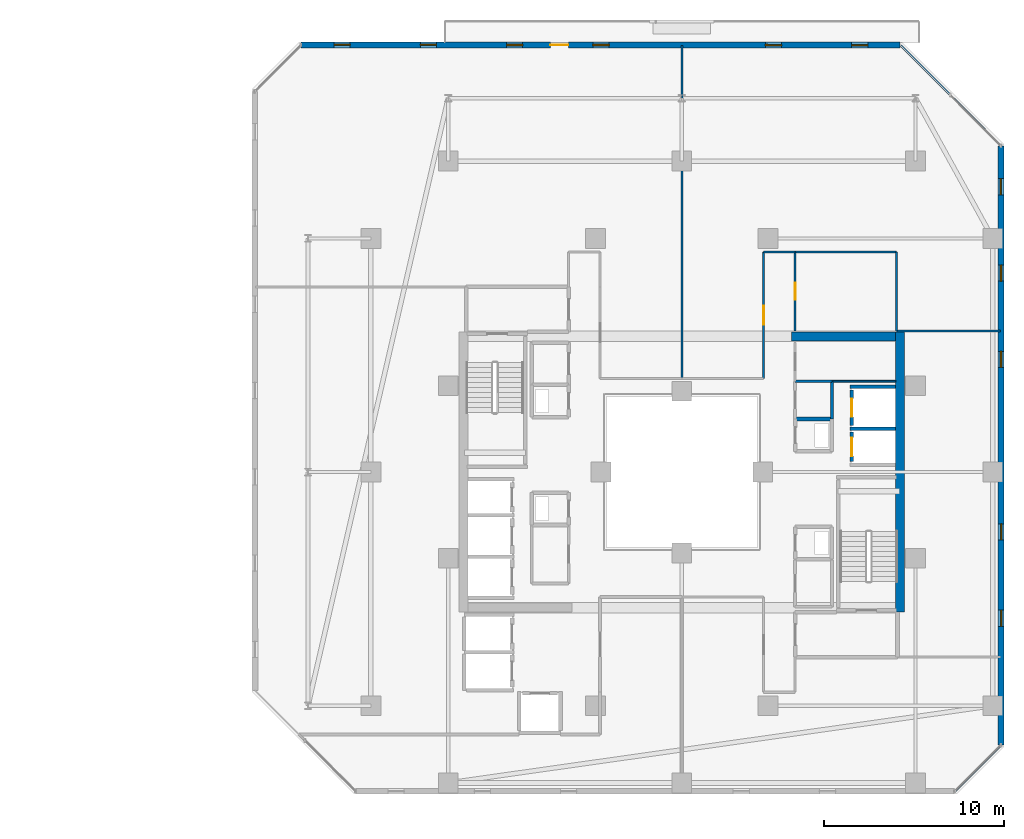
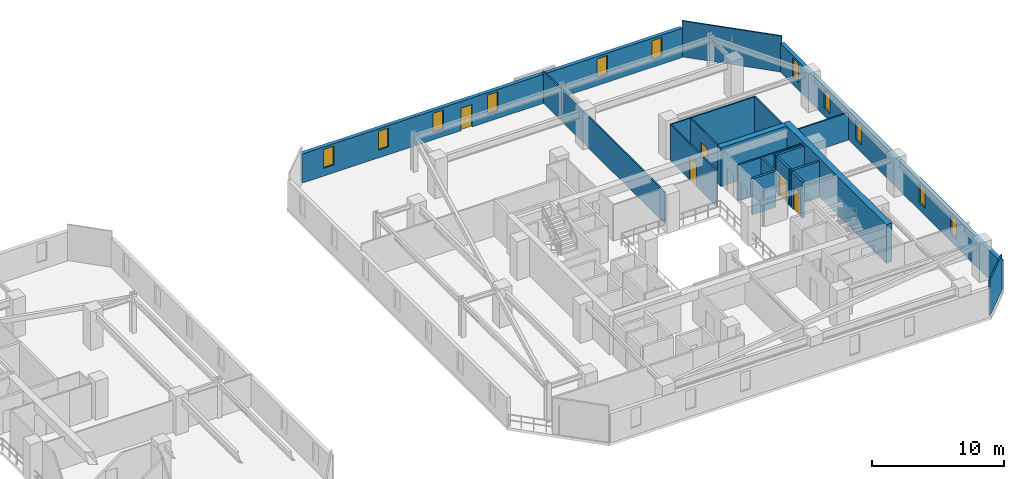
# One storey, part 25 of 32: 21 walls, 11 windows, 5 doors, 16 openings.
"""IFC4 building model written with IfcOpenShell, lengths in metres."""

from ifc_helpers import new_model, si_unit, direction, frame, frame_2d, origin, place, context, subcontext, project, spatial, rectangle, extrude, material, layer, layer_set, type_object, element, fill, save


model = new_model("IFC4")

# Units and contexts
model_context = context("Model", 3, precision=1e-05, world=origin(), true_north=direction((0.0, 1.0)))
body_context = subcontext(model_context, "Body", "Model", "MODEL_VIEW")
ifc_project = project(units=[si_unit("LENGTHUNIT", "METRE"), si_unit("AREAUNIT", "SQUARE_METRE"), si_unit("VOLUMEUNIT", "CUBIC_METRE"), si_unit("PLANEANGLEUNIT", "RADIAN"), si_unit("MASSUNIT", "GRAM", prefix="KILO")], contexts=[model_context])

# Site, building, storey
site_placement = place(None, origin())
site = spatial("IfcSite", under=ifc_project, at=site_placement, CompositionType="ELEMENT")
building_placement = place(site_placement, origin())
building = spatial("IfcBuilding", under=site, at=building_placement, Name="Thornwick Lancets Civic Towers", CompositionType="ELEMENT")
storey_placement = place(building_placement, frame((0.0, 0.0, 182.10009765625)))
storey = spatial("IfcBuildingStorey", under=building, at=storey_placement, Name="L48", CompositionType="ELEMENT", Elevation=182.10009765625)

# Wall, opening, door
ifc_material_1 = material(Name="Concrete blockwork C40/50", Category="masonry")
ifc_layer_1 = layer(ifc_material_1, 0.199951171875, Name="Concrete blockwork C40/50")
ifc_layer_set_1 = layer_set([ifc_layer_1], Name="Concrete blockwork C40/50")
wall_type_1 = type_object("IfcWallType", Name="WALL_COMP_200", PredefinedType="STANDARD", material=ifc_layer_set_1)
wall_1_placement = place(storey_placement, frame((97.949951171875, 29.219970703125, 0.0), z_axis=(0.0, 0.0, 1.0), x_axis=(0.0, -1.0, 0.0)))
wall_1 = element("IfcWall", 1, at=wall_1_placement, inside=storey, type_object=wall_type_1, Name="L48 Hoistway Front Wall FL-B1", PredefinedType="STANDARD", context=body_context, shape_type="SweptSolid", body=[
    extrude(rectangle(XDim=1.639892578125, YDim=0.199951171875, at=frame_2d((0.81982421875, 0.0))), origin(), (0.0, 0.0, 1.0), 3.33984375),
])
opening_1_placement = place(wall_1_placement, frame((0.31005859375, 0.0, 0.0)))
opening_1 = element("IfcOpeningElement", 2, at=opening_1_placement, cuts=wall_1, Name="Opening LD-FL-B1", PredefinedType="OPENING", context=body_context, shape_type="SweptSolid", body=[
    extrude(rectangle(XDim=1.02001953125, YDim=2.06005859375, at=frame_2d((0.510009765625, 1.030029296875))), frame((0.0, 0.10986328125, 0.0), z_axis=(0.0, -1.0, 0.0), x_axis=(1.0, 0.0, 0.0)), (0.0, 0.0, 1.0), 0.219970703125),
])
ifc_material_2 = material(Name="Brushed bronze stainless steel", Category="steel")
door_type_1 = type_object("IfcDoorType", Name="DOOR_LIFT_SLIDE", OperationType="SLIDING_TO_LEFT", PredefinedType="DOOR", material=ifc_material_2)
door_1_placement = place(opening_1_placement, origin())
door_1 = element("IfcDoor", 3, at=door_1_placement, inside=storey, type_object=door_type_1, Name="L48 Sliding Lift Landing Door LD-FL-B1", OperationType="SLIDING_TO_LEFT", OverallHeight=2.06005859375, OverallWidth=1.02001953125, PredefinedType="DOOR", context=body_context, shape_type="SweptSolid", body=[
    extrude(rectangle(XDim=1.02001953125, YDim=2.06005859375, at=frame_2d((0.510009765625, 1.030029296875))), frame((0.0, 0.02490234375, 0.0), z_axis=(0.0, -1.0, 0.0), x_axis=(1.0, 0.0, 0.0)), (0.0, 0.0, 1.0), 0.050048828125),
])
fill(opening_1, door_1)

wall_2_placement = place(storey_placement, frame((97.949951171875, 31.570068359375, 0.0), z_axis=(0.0, 0.0, 1.0), x_axis=(0.0, -1.0, 0.0)))
wall_2 = element("IfcWall", 4, at=wall_2_placement, inside=storey, type_object=wall_type_1, Name="L48 Hoistway Front Wall PL-BH1", PredefinedType="STANDARD", context=body_context, shape_type="SweptSolid", body=[
    extrude(rectangle(XDim=1.989990234375, YDim=0.199951171875, at=frame_2d((0.9951171875, 0.0))), origin(), (0.0, 0.0, 1.0), 3.33984375),
])
opening_2_placement = place(wall_2_placement, frame((0.485107421875, 0.0, 0.0)))
opening_2 = element("IfcOpeningElement", 5, at=opening_2_placement, cuts=wall_2, Name="Opening LD-PL-BH1", PredefinedType="OPENING", context=body_context, shape_type="SweptSolid", body=[
    extrude(rectangle(XDim=1.02001953125, YDim=2.06005859375, at=frame_2d((0.510009765625, 1.030029296875))), frame((0.0, 0.10986328125, 0.0), z_axis=(0.0, -1.0, 0.0), x_axis=(1.0, 0.0, 0.0)), (0.0, 0.0, 1.0), 0.219970703125),
])
door_2_placement = place(opening_2_placement, origin())
door_2 = element("IfcDoor", 6, at=door_2_placement, inside=storey, type_object=door_type_1, Name="L48 Sliding Lift Landing Door LD-PL-BH1", OperationType="SLIDING_TO_LEFT", OverallHeight=2.06005859375, OverallWidth=1.02001953125, PredefinedType="DOOR", context=body_context, shape_type="SweptSolid", body=[
    extrude(rectangle(XDim=1.02001953125, YDim=2.06005859375, at=frame_2d((0.510009765625, 1.030029296875))), frame((0.0, 0.02490234375, 0.0), z_axis=(0.0, -1.0, 0.0), x_axis=(1.0, 0.0, 0.0)), (0.0, 0.0, 1.0), 0.050048828125),
])
fill(opening_2, door_2)

# Walls
for number, where, z_axis, x_axis, name in (
    (7, (97.85205078125, 29.39990234375, 0.0), (0.0, 0.0, 1.0), (1.0, 0.0, 0.0), "L48 Hoistway Shaft Wall FL-B1 N"),
    (8, (97.85205078125, 31.75, 0.0), (0.0, 0.0, 1.0), (1.0, 0.0, 0.0), "L48 Hoistway Shaft Wall PL-BH1 N"),
):
    element("IfcWall", number, at=place(storey_placement, frame(where, z_axis=z_axis, x_axis=x_axis)), inside=storey, type_object=wall_type_1, Name=name, PredefinedType="STANDARD", context=body_context, shape_type="SweptSolid", body=[
        extrude(rectangle(XDim=2.535888671875, YDim=0.199951171875, at=frame_2d((1.26806640625, 0.0))), origin(), (0.0, 0.0, 1.0), 3.33984375),
    ])
wall_3_placement = place(storey_placement, frame((96.85009765625, 29.949951171875, 0.0), z_axis=(0.0, 0.0, 1.0), x_axis=(-1.0, 0.0, 0.0)))
element("IfcWall", 9, at=wall_3_placement, inside=storey, type_object=wall_type_1, Name="L48 Partition L48-B-DUCT1 E3", PredefinedType="STANDARD", context=body_context, shape_type="SweptSolid", body=[
    extrude(rectangle(XDim=2.050048828125, YDim=0.199951171875, at=frame_2d((1.02490234375, 0.0))), origin(), (0.0, 0.0, 1.0), 3.33984375),
])
ifc_material_3 = material(Name="Concrete C50/60", Category="concrete")
ifc_layer_2 = layer(ifc_material_3, 0.5, Name="Concrete C50/60")
ifc_layer_set_2 = layer_set([ifc_layer_2], Name="Concrete C50/60")
wall_type_2 = type_object("IfcWallType", Name="WALL_CORE_500", PredefinedType="SHEAR", material=ifc_layer_set_2)
wall_4_placement = place(storey_placement, frame((100.64990234375, 19.199951171875, 0.0), z_axis=(0.0, 0.0, 1.0), x_axis=(0.0, 1.0, 0.0)))
element("IfcWall", 10, at=wall_4_placement, inside=storey, type_object=wall_type_2, Name="L48 Split Core B1 Shear Wall E", PredefinedType="SHEAR", context=body_context, shape_type="SweptSolid", body=[
    extrude(rectangle(XDim=15.60009765625, YDim=0.5, at=frame_2d((7.800048828125, 0.0))), origin(), (0.0, 0.0, 1.0), 3.599853515625),
])
wall_5_placement = place(storey_placement, frame((94.60009765625, 34.550048828125, 0.0), z_axis=(0.0, 0.0, 1.0), x_axis=(1.0, 0.0, 0.0)))
element("IfcWall", 11, at=wall_5_placement, inside=storey, type_object=wall_type_2, Name="L48 Split Core B1 Shear Wall N", PredefinedType="SHEAR", context=body_context, shape_type="SweptSolid", body=[
    extrude(rectangle(XDim=5.7998046875, YDim=0.5, at=frame_2d((2.89990234375, 0.0))), origin(), (0.0, 0.0, 1.0), 3.599853515625),
])

# Wall, openings, windows
ifc_material_4 = material(Name="Insulated buff terracotta rainscreen on concrete C40/50", Category="masonry")
ifc_layer_3 = layer(ifc_material_4, 0.320068359375, Name="Insulated buff terracotta rainscreen on concrete C40/50")
ifc_layer_set_3 = layer_set([ifc_layer_3], Name="Insulated buff terracotta rainscreen on concrete C40/50")
wall_type_3 = type_object("IfcWallType", Name="WALL_EXT_TERRA_320", PredefinedType="STANDARD", material=ifc_layer_set_3)
wall_6_placement = place(storey_placement, frame((106.2646484375, 11.818603515625, 0.0), z_axis=(0.0, 0.0, 1.0), x_axis=(-0.000300328883, 0.999999954901, 0.0)))
wall_6 = element("IfcWall", 12, at=wall_6_placement, inside=storey, type_object=wall_type_3, Name="L48 Tower B Terracotta Facade Wall E2", PredefinedType="STANDARD", context=body_context, shape_type="SweptSolid", body=[
    extrude(rectangle(XDim=33.329345703125, YDim=0.320068359375, at=frame_2d((16.66455078125, 0.0))), origin(), (0.0, 0.0, 1.0), 2.699951171875),
])
opening_3_placement = place(wall_6_placement, frame((6.60009765625, 0.0, 0.719970703125)))
opening_3 = element("IfcOpeningElement", 13, at=opening_3_placement, cuts=wall_6, Name="Opening WL-01", PredefinedType="OPENING", context=body_context, shape_type="SweptSolid", body=[
    extrude(rectangle(XDim=0.89990234375, YDim=1.75, at=frame_2d((0.449951171875, 0.875))), frame((0.0, 0.169921875, 0.0), z_axis=(0.0, -1.0, 0.0), x_axis=(1.0, 0.0, 0.0)), (0.0, 0.0, 1.0), 0.340087890625),
])
opening_4_placement = place(wall_6_placement, frame((11.39990234375, 0.0, 0.719970703125)))
opening_4 = element("IfcOpeningElement", 14, at=opening_4_placement, cuts=wall_6, Name="Opening WL-01", PredefinedType="OPENING", context=body_context, shape_type="SweptSolid", body=[
    extrude(rectangle(XDim=0.89990234375, YDim=1.75, at=frame_2d((0.449951171875, 0.875))), frame((0.0, 0.169921875, 0.0), z_axis=(0.0, -1.0, 0.0), x_axis=(1.0, 0.0, 0.0)), (0.0, 0.0, 1.0), 0.340087890625),
])
opening_5_placement = place(wall_6_placement, frame((21.0, 0.0, 0.719970703125)))
opening_5 = element("IfcOpeningElement", 15, at=opening_5_placement, cuts=wall_6, Name="Opening WL-01", PredefinedType="OPENING", context=body_context, shape_type="SweptSolid", body=[
    extrude(rectangle(XDim=0.89990234375, YDim=1.75, at=frame_2d((0.449951171875, 0.875))), frame((0.0, 0.169921875, 0.0), z_axis=(0.0, -1.0, 0.0), x_axis=(1.0, 0.0, 0.0)), (0.0, 0.0, 1.0), 0.340087890625),
])
opening_6_placement = place(wall_6_placement, frame((25.800048828125, 0.0, 0.719970703125)))
opening_6 = element("IfcOpeningElement", 16, at=opening_6_placement, cuts=wall_6, Name="Opening WL-01", PredefinedType="OPENING", context=body_context, shape_type="SweptSolid", body=[
    extrude(rectangle(XDim=0.89990234375, YDim=1.75, at=frame_2d((0.449951171875, 0.875))), frame((0.0, 0.169921875, 0.0), z_axis=(0.0, -1.0, 0.0), x_axis=(1.0, 0.0, 0.0)), (0.0, 0.0, 1.0), 0.340087890625),
])
opening_7_placement = place(wall_6_placement, frame((30.60009765625, 0.0, 0.719970703125)))
opening_7 = element("IfcOpeningElement", 17, at=opening_7_placement, cuts=wall_6, Name="Opening WL-01", PredefinedType="OPENING", context=body_context, shape_type="SweptSolid", body=[
    extrude(rectangle(XDim=0.89990234375, YDim=1.75, at=frame_2d((0.449951171875, 0.875))), frame((0.0, 0.169921875, 0.0), z_axis=(0.0, -1.0, 0.0), x_axis=(1.0, 0.0, 0.0)), (0.0, 0.0, 1.0), 0.340087890625),
])
ifc_material_5 = material(Name="Clear low-e double glazing in bronze frame", Category="glass")
window_type = type_object("IfcWindowType", Name="WIN_LANCET_900", PartitioningType="SINGLE_PANEL", PredefinedType="WINDOW", material=ifc_material_5)
window_1_placement = place(opening_3_placement, origin())
window_1 = element("IfcWindow", 18, at=window_1_placement, inside=storey, type_object=window_type, Name="L48 Tower B Staggered Lancet Window E2-1", OverallHeight=1.75, OverallWidth=0.89990234375, PartitioningType="SINGLE_PANEL", PredefinedType="WINDOW", context=body_context, shape_type="SweptSolid", body=[
    extrude(rectangle(XDim=0.89990234375, YDim=1.75, at=frame_2d((0.449951171875, 0.875))), frame((0.0, 0.030029296875, 0.0), z_axis=(0.0, -1.0, 0.0), x_axis=(1.0, 0.0, 0.0)), (0.0, 0.0, 1.0), 0.06005859375),
])
fill(opening_3, window_1)
window_2_placement = place(opening_4_placement, origin())
window_2 = element("IfcWindow", 19, at=window_2_placement, inside=storey, type_object=window_type, Name="L48 Tower B Staggered Lancet Window E2-2", OverallHeight=1.75, OverallWidth=0.89990234375, PartitioningType="SINGLE_PANEL", PredefinedType="WINDOW", context=body_context, shape_type="SweptSolid", body=[
    extrude(rectangle(XDim=0.89990234375, YDim=1.75, at=frame_2d((0.449951171875, 0.875))), frame((0.0, 0.030029296875, 0.0), z_axis=(0.0, -1.0, 0.0), x_axis=(1.0, 0.0, 0.0)), (0.0, 0.0, 1.0), 0.06005859375),
])
fill(opening_4, window_2)
window_3_placement = place(opening_5_placement, origin())
window_3 = element("IfcWindow", 20, at=window_3_placement, inside=storey, type_object=window_type, Name="L48 Tower B Staggered Lancet Window E2-3", OverallHeight=1.75, OverallWidth=0.89990234375, PartitioningType="SINGLE_PANEL", PredefinedType="WINDOW", context=body_context, shape_type="SweptSolid", body=[
    extrude(rectangle(XDim=0.89990234375, YDim=1.75, at=frame_2d((0.449951171875, 0.875))), frame((0.0, 0.030029296875, 0.0), z_axis=(0.0, -1.0, 0.0), x_axis=(1.0, 0.0, 0.0)), (0.0, 0.0, 1.0), 0.06005859375),
])
fill(opening_5, window_3)
window_4_placement = place(opening_6_placement, origin())
window_4 = element("IfcWindow", 21, at=window_4_placement, inside=storey, type_object=window_type, Name="L48 Tower B Staggered Lancet Window E2-4", OverallHeight=1.75, OverallWidth=0.89990234375, PartitioningType="SINGLE_PANEL", PredefinedType="WINDOW", context=body_context, shape_type="SweptSolid", body=[
    extrude(rectangle(XDim=0.89990234375, YDim=1.75, at=frame_2d((0.449951171875, 0.875))), frame((0.0, 0.030029296875, 0.0), z_axis=(0.0, -1.0, 0.0), x_axis=(1.0, 0.0, 0.0)), (0.0, 0.0, 1.0), 0.06005859375),
])
fill(opening_6, window_4)
window_5_placement = place(opening_7_placement, origin())
window_5 = element("IfcWindow", 22, at=window_5_placement, inside=storey, type_object=window_type, Name="L48 Tower B Staggered Lancet Window E2-5", OverallHeight=1.75, OverallWidth=0.89990234375, PartitioningType="SINGLE_PANEL", PredefinedType="WINDOW", context=body_context, shape_type="SweptSolid", body=[
    extrude(rectangle(XDim=0.89990234375, YDim=1.75, at=frame_2d((0.449951171875, 0.875))), frame((0.0, 0.030029296875, 0.0), z_axis=(0.0, -1.0, 0.0), x_axis=(1.0, 0.0, 0.0)), (0.0, 0.0, 1.0), 0.06005859375),
])
fill(opening_7, window_5)

# Wall, openings, door, windows
wall_7_placement = place(storey_placement, frame((100.64794921875, 50.754638671875, 0.0), z_axis=(0.0, 0.0, 1.0), x_axis=(-0.999999954901, 0.000300328883, 0.0)))
wall_7 = element("IfcWall", 23, at=wall_7_placement, inside=storey, type_object=wall_type_3, Name="L48 Tower B Terracotta Facade Wall E4", PredefinedType="STANDARD", context=body_context, shape_type="SweptSolid", body=[
    extrude(rectangle(XDim=33.329345703125, YDim=0.320068359375, at=frame_2d((16.66455078125, 0.0))), origin(), (0.0, 0.0, 1.0), 2.699951171875),
])
opening_8_placement = place(wall_7_placement, frame((18.464599609375, 0.0, 0.0)))
opening_8 = element("IfcOpeningElement", 24, at=opening_8_placement, cuts=wall_7, Name="Opening D-BL-L48-BN", PredefinedType="OPENING", context=body_context, shape_type="SweptSolid", body=[
    extrude(rectangle(XDim=1.0, YDim=2.080078125, at=frame_2d((0.5, 1.0400390625))), frame((0.0, 0.169921875, 0.0), z_axis=(0.0, -1.0, 0.0), x_axis=(1.0, 0.0, 0.0)), (0.0, 0.0, 1.0), 0.340087890625),
])
opening_9_placement = place(wall_7_placement, frame((1.800048828125, 0.0, 0.719970703125)))
opening_9 = element("IfcOpeningElement", 25, at=opening_9_placement, cuts=wall_7, Name="Opening WL-01", PredefinedType="OPENING", context=body_context, shape_type="SweptSolid", body=[
    extrude(rectangle(XDim=0.89990234375, YDim=1.75, at=frame_2d((0.449951171875, 0.875))), frame((0.0, 0.169921875, 0.0), z_axis=(0.0, -1.0, 0.0), x_axis=(1.0, 0.0, 0.0)), (0.0, 0.0, 1.0), 0.340087890625),
])
opening_10_placement = place(wall_7_placement, frame((6.60009765625, 0.0, 0.719970703125)))
opening_10 = element("IfcOpeningElement", 26, at=opening_10_placement, cuts=wall_7, Name="Opening WL-01", PredefinedType="OPENING", context=body_context, shape_type="SweptSolid", body=[
    extrude(rectangle(XDim=0.89990234375, YDim=1.75, at=frame_2d((0.449951171875, 0.875))), frame((0.0, 0.169921875, 0.0), z_axis=(0.0, -1.0, 0.0), x_axis=(1.0, 0.0, 0.0)), (0.0, 0.0, 1.0), 0.340087890625),
])
opening_11_placement = place(wall_7_placement, frame((16.199951171875, 0.0, 0.719970703125)))
opening_11 = element("IfcOpeningElement", 27, at=opening_11_placement, cuts=wall_7, Name="Opening WL-01", PredefinedType="OPENING", context=body_context, shape_type="SweptSolid", body=[
    extrude(rectangle(XDim=0.89990234375, YDim=1.75, at=frame_2d((0.449951171875, 0.875))), frame((0.0, 0.169921875, 0.0), z_axis=(0.0, -1.0, 0.0), x_axis=(1.0, 0.0, 0.0)), (0.0, 0.0, 1.0), 0.340087890625),
])
opening_12_placement = place(wall_7_placement, frame((21.0, 0.0, 0.719970703125)))
opening_12 = element("IfcOpeningElement", 28, at=opening_12_placement, cuts=wall_7, Name="Opening WL-01", PredefinedType="OPENING", context=body_context, shape_type="SweptSolid", body=[
    extrude(rectangle(XDim=0.89990234375, YDim=1.75, at=frame_2d((0.449951171875, 0.875))), frame((0.0, 0.169921875, 0.0), z_axis=(0.0, -1.0, 0.0), x_axis=(1.0, 0.0, 0.0)), (0.0, 0.0, 1.0), 0.340087890625),
])
opening_13_placement = place(wall_7_placement, frame((25.800048828125, 0.0, 0.719970703125)))
opening_13 = element("IfcOpeningElement", 29, at=opening_13_placement, cuts=wall_7, Name="Opening WL-01", PredefinedType="OPENING", context=body_context, shape_type="SweptSolid", body=[
    extrude(rectangle(XDim=0.89990234375, YDim=1.75, at=frame_2d((0.449951171875, 0.875))), frame((0.0, 0.169921875, 0.0), z_axis=(0.0, -1.0, 0.0), x_axis=(1.0, 0.0, 0.0)), (0.0, 0.0, 1.0), 0.340087890625),
])
opening_14_placement = place(wall_7_placement, frame((30.60009765625, 0.0, 0.719970703125)))
opening_14 = element("IfcOpeningElement", 30, at=opening_14_placement, cuts=wall_7, Name="Opening WL-01", PredefinedType="OPENING", context=body_context, shape_type="SweptSolid", body=[
    extrude(rectangle(XDim=0.89990234375, YDim=1.75, at=frame_2d((0.449951171875, 0.875))), frame((0.0, 0.169921875, 0.0), z_axis=(0.0, -1.0, 0.0), x_axis=(1.0, 0.0, 0.0)), (0.0, 0.0, 1.0), 0.340087890625),
])
ifc_material_6 = material(Name="Thermally broken glazed loggia doorset")
door_type_2 = type_object("IfcDoorType", Name="DOOR_BALC_1000", OperationType="NOTDEFINED", PredefinedType="DOOR", material=ifc_material_6)
door_3_placement = place(opening_8_placement, origin())
door_3 = element("IfcDoor", 31, at=door_3_placement, inside=storey, type_object=door_type_2, Name="L48 Tower B Loggia Balcony Door N", OperationType="SINGLE_SWING_LEFT", OverallHeight=2.080078125, OverallWidth=1.0, PredefinedType="DOOR", context=body_context, shape_type="SweptSolid", body=[
    extrude(rectangle(XDim=1.0, YDim=2.080078125, at=frame_2d((0.5, 1.0400390625))), frame((0.0, 0.02490234375, 0.0), z_axis=(0.0, -1.0, 0.0), x_axis=(1.0, 0.0, 0.0)), (0.0, 0.0, 1.0), 0.050048828125),
])
fill(opening_8, door_3)
window_6_placement = place(opening_9_placement, origin())
window_6 = element("IfcWindow", 32, at=window_6_placement, inside=storey, type_object=window_type, Name="L48 Tower B Staggered Lancet Window E4-1", OverallHeight=1.75, OverallWidth=0.89990234375, PartitioningType="SINGLE_PANEL", PredefinedType="WINDOW", context=body_context, shape_type="SweptSolid", body=[
    extrude(rectangle(XDim=0.89990234375, YDim=1.75, at=frame_2d((0.449951171875, 0.875))), frame((0.0, 0.030029296875, 0.0), z_axis=(0.0, -1.0, 0.0), x_axis=(1.0, 0.0, 0.0)), (0.0, 0.0, 1.0), 0.06005859375),
])
fill(opening_9, window_6)
window_7_placement = place(opening_10_placement, origin())
window_7 = element("IfcWindow", 33, at=window_7_placement, inside=storey, type_object=window_type, Name="L48 Tower B Staggered Lancet Window E4-2", OverallHeight=1.75, OverallWidth=0.89990234375, PartitioningType="SINGLE_PANEL", PredefinedType="WINDOW", context=body_context, shape_type="SweptSolid", body=[
    extrude(rectangle(XDim=0.89990234375, YDim=1.75, at=frame_2d((0.449951171875, 0.875))), frame((0.0, 0.030029296875, 0.0), z_axis=(0.0, -1.0, 0.0), x_axis=(1.0, 0.0, 0.0)), (0.0, 0.0, 1.0), 0.06005859375),
])
fill(opening_10, window_7)
window_8_placement = place(opening_11_placement, origin())
window_8 = element("IfcWindow", 34, at=window_8_placement, inside=storey, type_object=window_type, Name="L48 Tower B Staggered Lancet Window E4-3", OverallHeight=1.75, OverallWidth=0.89990234375, PartitioningType="SINGLE_PANEL", PredefinedType="WINDOW", context=body_context, shape_type="SweptSolid", body=[
    extrude(rectangle(XDim=0.89990234375, YDim=1.75, at=frame_2d((0.449951171875, 0.875))), frame((0.0, 0.030029296875, 0.0), z_axis=(0.0, -1.0, 0.0), x_axis=(1.0, 0.0, 0.0)), (0.0, 0.0, 1.0), 0.06005859375),
])
fill(opening_11, window_8)
window_9_placement = place(opening_12_placement, origin())
window_9 = element("IfcWindow", 35, at=window_9_placement, inside=storey, type_object=window_type, Name="L48 Tower B Staggered Lancet Window E4-4", OverallHeight=1.75, OverallWidth=0.89990234375, PartitioningType="SINGLE_PANEL", PredefinedType="WINDOW", context=body_context, shape_type="SweptSolid", body=[
    extrude(rectangle(XDim=0.89990234375, YDim=1.75, at=frame_2d((0.449951171875, 0.875))), frame((0.0, 0.030029296875, 0.0), z_axis=(0.0, -1.0, 0.0), x_axis=(1.0, 0.0, 0.0)), (0.0, 0.0, 1.0), 0.06005859375),
])
fill(opening_12, window_9)
window_10_placement = place(opening_13_placement, origin())
window_10 = element("IfcWindow", 36, at=window_10_placement, inside=storey, type_object=window_type, Name="L48 Tower B Staggered Lancet Window E4-5", OverallHeight=1.75, OverallWidth=0.89990234375, PartitioningType="SINGLE_PANEL", PredefinedType="WINDOW", context=body_context, shape_type="SweptSolid", body=[
    extrude(rectangle(XDim=0.89990234375, YDim=1.75, at=frame_2d((0.449951171875, 0.875))), frame((0.0, 0.030029296875, 0.0), z_axis=(0.0, -1.0, 0.0), x_axis=(1.0, 0.0, 0.0)), (0.0, 0.0, 1.0), 0.06005859375),
])
fill(opening_13, window_10)
window_11_placement = place(opening_14_placement, origin())
window_11 = element("IfcWindow", 37, at=window_11_placement, inside=storey, type_object=window_type, Name="L48 Tower B Staggered Lancet Window E4-6", OverallHeight=1.75, OverallWidth=0.89990234375, PartitioningType="SINGLE_PANEL", PredefinedType="WINDOW", context=body_context, shape_type="SweptSolid", body=[
    extrude(rectangle(XDim=0.89990234375, YDim=1.75, at=frame_2d((0.449951171875, 0.875))), frame((0.0, 0.030029296875, 0.0), z_axis=(0.0, -1.0, 0.0), x_axis=(1.0, 0.0, 0.0)), (0.0, 0.0, 1.0), 0.06005859375),
])
fill(opening_14, window_11)

# Walls
ifc_material_7 = material(Name="Lightweight cellular office partition")
ifc_layer_4 = layer(ifc_material_7, 0.10009765625, Name="Lightweight cellular office partition")
ifc_layer_set_4 = layer_set([ifc_layer_4], Name="Lightweight cellular office partition")
wall_type_4 = type_object("IfcWallType", Name="WALL_PART_100", PredefinedType="PARTITIONING", material=ifc_layer_set_4)
wall_8_placement = place(storey_placement, frame((100.39990234375, 32.050048828125, 0.0), z_axis=(0.0, 0.0, 1.0), x_axis=(-1.0, 0.0, 0.0)))
element("IfcWall", 38, at=wall_8_placement, inside=storey, type_object=wall_type_4, Name="L48 Partition L48-B-CLN E4", PredefinedType="PARTITIONING", context=body_context, shape_type="SweptSolid", body=[
    extrude(rectangle(XDim=3.5498046875, YDim=0.10009765625, at=frame_2d((1.77490234375, 0.0))), origin(), (0.0, 0.0, 1.0), 3.33984375),
])
ifc_material_8 = material(Name="Acoustic gypsum board partition")
ifc_layer_5 = layer(ifc_material_8, 0.1201171875, Name="Acoustic gypsum board partition")
ifc_layer_set_5 = layer_set([ifc_layer_5], Name="Acoustic gypsum board partition")
wall_type_5 = type_object("IfcWallType", Name="WALL_PART_120", PredefinedType="PARTITIONING", material=ifc_layer_set_5)
wall_9_placement = place(storey_placement, frame((100.449951171875, 39.25, 0.0), z_axis=(0.0, 0.0, 1.0), x_axis=(0.0, -1.0, 0.0)))
element("IfcWall", 39, at=wall_9_placement, inside=storey, type_object=wall_type_5, Name="L48 Partition L48-B-RECLAIM-L1 E1", PredefinedType="PARTITIONING", context=body_context, shape_type="SweptSolid", body=[
    extrude(rectangle(XDim=4.39990234375, YDim=0.1201171875, at=frame_2d((2.199951171875, 0.0))), origin(), (0.0, 0.0, 1.0), 3.33984375),
])

# Wall, opening, door
wall_10_placement = place(storey_placement, frame((94.800048828125, 34.85009765625, 0.0), z_axis=(0.0, 0.0, 1.0), x_axis=(0.0, 1.0, 0.0)))
wall_10 = element("IfcWall", 40, at=wall_10_placement, inside=storey, type_object=wall_type_5, Name="L48 Partition L48-B-RECLAIM-L1 E3", PredefinedType="PARTITIONING", context=body_context, shape_type="SweptSolid", body=[
    extrude(rectangle(XDim=4.39990234375, YDim=0.1201171875, at=frame_2d((2.199951171875, 0.0))), origin(), (0.0, 0.0, 1.0), 3.33984375),
])
opening_15_placement = place(wall_10_placement, frame((1.72509765625, 0.0, 0.0)))
opening_15 = element("IfcOpeningElement", 41, at=opening_15_placement, cuts=wall_10, Name="Opening D-L48-2152", PredefinedType="OPENING", context=body_context, shape_type="SweptSolid", body=[
    extrude(rectangle(XDim=0.949951171875, YDim=2.10009765625, at=frame_2d((0.47509765625, 1.050048828125))), frame((0.0, 0.070068359375, 0.0), z_axis=(0.0, -1.0, 0.0), x_axis=(1.0, 0.0, 0.0)), (0.0, 0.0, 1.0), 0.14013671875),
])
ifc_material_9 = material(Name="European oak acoustic doorset")
door_type_3 = type_object("IfcDoorType", Name="DOOR_OFFICE_950", OperationType="NOTDEFINED", PredefinedType="DOOR", material=ifc_material_9)
door_4_placement = place(opening_15_placement, origin())
door_4 = element("IfcDoor", 42, at=door_4_placement, inside=storey, type_object=door_type_3, Name="L48 Tower B Policy Archive and Library Door", OperationType="SINGLE_SWING_LEFT", OverallHeight=2.10009765625, OverallWidth=0.949951171875, PredefinedType="DOOR", context=body_context, shape_type="SweptSolid", body=[
    extrude(rectangle(XDim=0.949951171875, YDim=2.10009765625, at=frame_2d((0.47509765625, 1.050048828125))), frame((0.0, 0.02490234375, 0.0), z_axis=(0.0, -1.0, 0.0), x_axis=(1.0, 0.0, 0.0)), (0.0, 0.0, 1.0), 0.050048828125),
])
fill(opening_15, door_4)

# Walls
wall_11_placement = place(storey_placement, frame((94.800048828125, 39.25, 0.0), z_axis=(0.0, 0.0, 1.0), x_axis=(1.0, 0.0, 0.0)))
element("IfcWall", 43, at=wall_11_placement, inside=storey, type_object=wall_type_5, Name="L48 Partition L48-B-RECLAIM-L1 E4", PredefinedType="PARTITIONING", context=body_context, shape_type="SweptSolid", body=[
    extrude(rectangle(XDim=5.64990234375, YDim=0.1201171875, at=frame_2d((2.824951171875, 0.0))), origin(), (0.0, 0.0, 1.0), 3.33984375),
])
wall_12_placement = place(storey_placement, frame((106.219970703125, 11.774658203125, 0.0), z_axis=(0.0, 0.0, 1.0), x_axis=(-0.707106781187, -0.707106781187, 0.0)))
element("IfcWall", 44, at=wall_12_placement, inside=storey, type_object=wall_type_5, Name="L48 Partition L48-B-W1 E10", PredefinedType="PARTITIONING", context=body_context, shape_type="SweptSolid", body=[
    extrude(rectangle(XDim=3.52783203125, YDim=0.1201171875, at=frame_2d((1.763916015625, 0.0))), origin(), (0.0, 0.0, 1.0), 3.33984375),
])
wall_13_placement = place(storey_placement, frame((94.800048828125, 39.25, 0.0), z_axis=(0.0, 0.0, 1.0), x_axis=(-1.0, 0.0, 0.0)))
element("IfcWall", 45, at=wall_13_placement, inside=storey, type_object=wall_type_5, Name="L48 Partition L48-B-E1 E3", PredefinedType="PARTITIONING", context=body_context, shape_type="SweptSolid", body=[
    extrude(rectangle(XDim=1.75, YDim=0.1201171875, at=frame_2d((0.875, 0.0))), origin(), (0.0, 0.0, 1.0), 3.33984375),
])

# Wall, opening, door
wall_14_placement = place(storey_placement, frame((93.050048828125, 39.25, 0.0), z_axis=(0.0, 0.0, 1.0), x_axis=(0.0, -1.0, 0.0)))
wall_14 = element("IfcWall", 46, at=wall_14_placement, inside=storey, type_object=wall_type_5, Name="L48 Partition L48-B-E1 E4", PredefinedType="PARTITIONING", context=body_context, shape_type="SweptSolid", body=[
    extrude(rectangle(XDim=7.050048828125, YDim=0.1201171875, at=frame_2d((3.52490234375, 0.0))), origin(), (0.0, 0.0, 1.0), 3.33984375),
])
opening_16_placement = place(wall_14_placement, frame((3.0, 0.0, 0.0)))
opening_16 = element("IfcOpeningElement", 47, at=opening_16_placement, cuts=wall_14, Name="Opening D-L48-2155", PredefinedType="OPENING", context=body_context, shape_type="SweptSolid", body=[
    extrude(rectangle(XDim=1.050048828125, YDim=2.10009765625, at=frame_2d((0.52490234375, 1.050048828125))), frame((0.0, 0.070068359375, 0.0), z_axis=(0.0, -1.0, 0.0), x_axis=(1.0, 0.0, 0.0)), (0.0, 0.0, 1.0), 0.14013671875),
])
ifc_material_10 = material(Name="Glazed European oak executive doorset")
door_type_4 = type_object("IfcDoorType", Name="DOOR_OFFICE_1050", OperationType="NOTDEFINED", PredefinedType="DOOR", material=ifc_material_10)
door_5_placement = place(opening_16_placement, origin())
door_5 = element("IfcDoor", 48, at=door_5_placement, inside=storey, type_object=door_type_4, Name="L48 Tower B Secretariat Open Office E1 Door", OperationType="SINGLE_SWING_RIGHT", OverallHeight=2.10009765625, OverallWidth=1.050048828125, PredefinedType="DOOR", context=body_context, shape_type="SweptSolid", body=[
    extrude(rectangle(XDim=1.050048828125, YDim=2.10009765625, at=frame_2d((0.52490234375, 1.050048828125))), frame((0.0, 0.02490234375, 0.0), z_axis=(0.0, -1.0, 0.0), x_axis=(1.0, 0.0, 0.0)), (0.0, 0.0, 1.0), 0.050048828125),
])
fill(opening_16, door_5)

# Walls
wall_15_placement = place(storey_placement, frame((88.5, 32.199951171875, 0.0), z_axis=(0.0, 0.0, 1.0), x_axis=(0.0, 1.0, 0.0)))
element("IfcWall", 49, at=wall_15_placement, inside=storey, type_object=wall_type_5, Name="L48 Partition L48-B-E1 E6", PredefinedType="PARTITIONING", context=body_context, shape_type="SweptSolid", body=[
    extrude(rectangle(XDim=18.52001953125, YDim=0.1201171875, at=frame_2d((9.260009765625, 0.0))), origin(), (0.0, 0.0, 1.0), 2.93212890625),
])
wall_16_placement = place(storey_placement, frame((100.679443359375, 50.719970703125, 0.0), z_axis=(0.0, 0.0, 1.0), x_axis=(0.707106781187, -0.707106781187, 0.0)))
element("IfcWall", 50, at=wall_16_placement, inside=storey, type_object=wall_type_5, Name="L48 Partition L48-B-E1 E8", PredefinedType="PARTITIONING", context=body_context, shape_type="SweptSolid", body=[
    extrude(rectangle(XDim=7.83544921875, YDim=0.1201171875, at=frame_2d((3.917724609375, 0.0))), origin(), (0.0, 0.0, 1.0), 3.33984375),
])
wall_17_placement = place(storey_placement, frame((106.219970703125, 34.85009765625, 0.0), z_axis=(0.0, 0.0, 1.0), x_axis=(-1.0, 0.0, 0.0)))
element("IfcWall", 51, at=wall_17_placement, inside=storey, type_object=wall_type_5, Name="L48 Partition L48-B-E1 E10", PredefinedType="PARTITIONING", context=body_context, shape_type="SweptSolid", body=[
    extrude(rectangle(XDim=5.77001953125, YDim=0.1201171875, at=frame_2d((2.885009765625, 0.0))), origin(), (0.0, 0.0, 1.0), 2.544921875),
])
ifc_material_11 = material(Name="Twin-stud acoustic gypsum board")
ifc_layer_6 = layer(ifc_material_11, 0.14990234375, Name="Twin-stud acoustic gypsum board")
ifc_layer_set_6 = layer_set([ifc_layer_6], Name="Twin-stud acoustic gypsum board")
wall_type_6 = type_object("IfcWallType", Name="WALL_PART_150", PredefinedType="PARTITIONING", material=ifc_layer_set_6)
wall_18_placement = place(storey_placement, frame((94.800048828125, 32.050048828125, 0.0), z_axis=(0.0, 0.0, 1.0), x_axis=(1.0, 0.0, 0.0)))
element("IfcWall", 52, at=wall_18_placement, inside=storey, type_object=wall_type_6, Name="L48 Partition L48-B-MWC E2", PredefinedType="PARTITIONING", context=body_context, shape_type="SweptSolid", body=[
    extrude(rectangle(XDim=2.050048828125, YDim=0.14990234375, at=frame_2d((1.02490234375, 0.0))), origin(), (0.0, 0.0, 1.0), 3.33984375),
])
wall_19_placement = place(storey_placement, frame((96.85009765625, 32.050048828125, 0.0), z_axis=(0.0, 0.0, 1.0), x_axis=(0.0, -1.0, 0.0)))
element("IfcWall", 53, at=wall_19_placement, inside=storey, type_object=wall_type_6, Name="L48 Partition L48-B-MWC E3", PredefinedType="PARTITIONING", context=body_context, shape_type="SweptSolid", body=[
    extrude(rectangle(XDim=2.10009765625, YDim=0.14990234375, at=frame_2d((1.050048828125, 0.0))), origin(), (0.0, 0.0, 1.0), 3.33984375),
])

save(model, "model.ifc")
